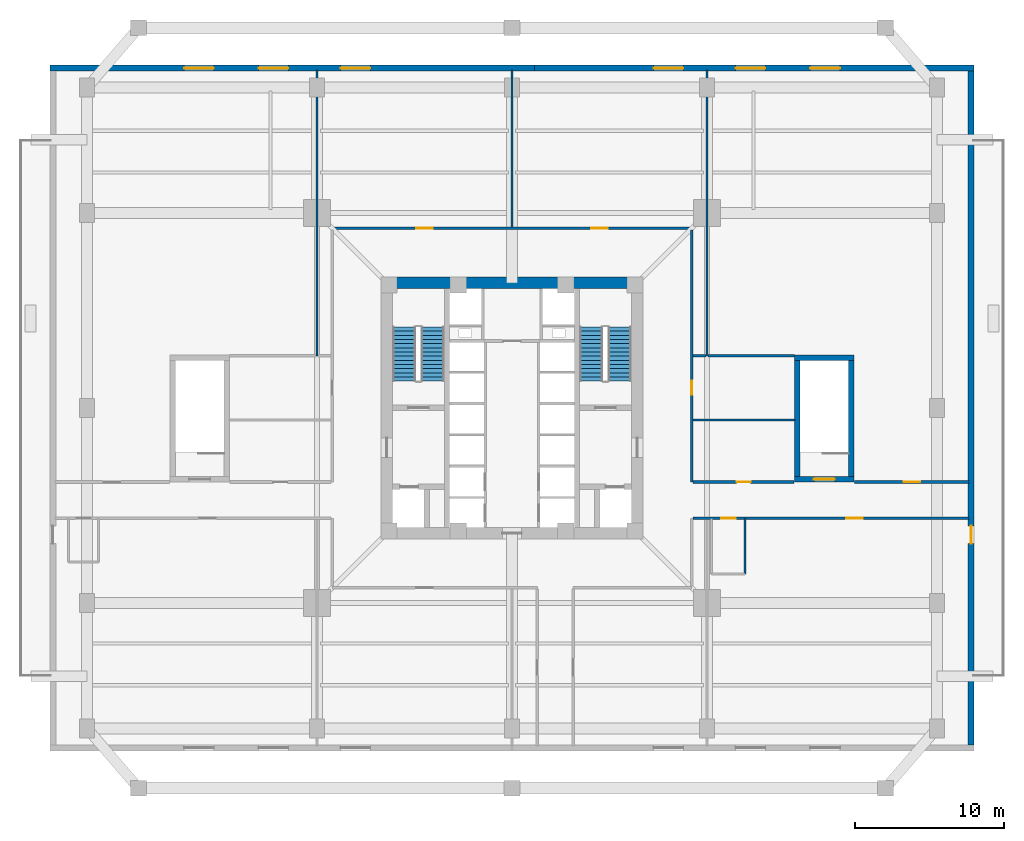
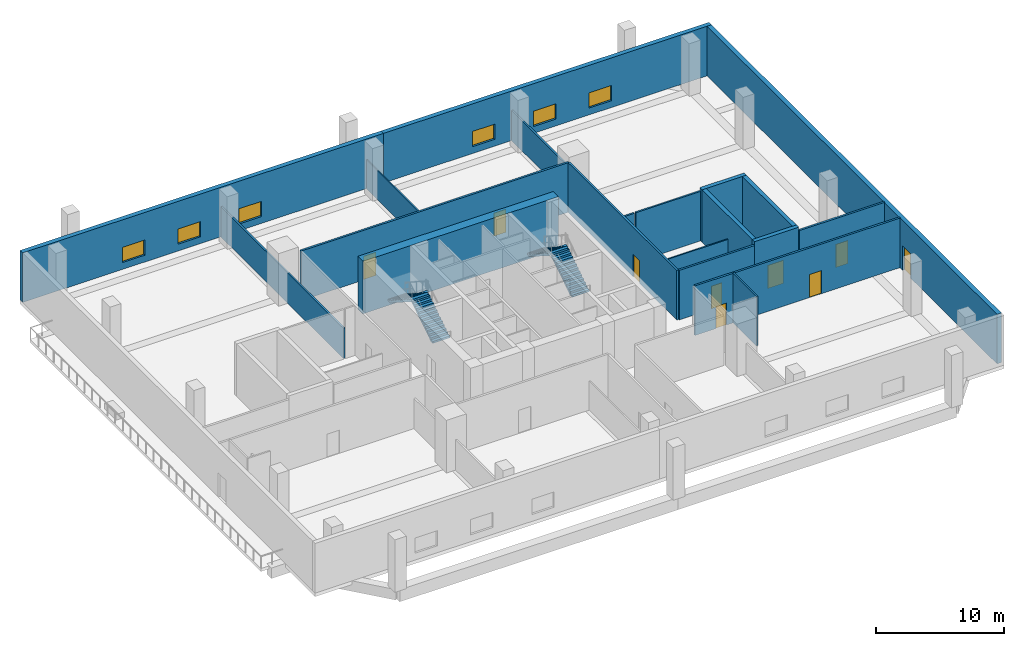
# One storey, part 4 of 8: 20 walls, 9 doors, 6 windows, 4 stair flights, 15 openings, 2 elements without a shape of their own.
"""IFC4 building model written with IfcOpenShell, lengths in metres."""

from ifc_helpers import new_model, si_unit, direction, frame, frame_2d, origin, place, context, subcontext, project, spatial, polyline, rectangle, outline, extrude, source, transform, mapped, material, layer, layer_set, type_object, element, fill, aggregate, save


model = new_model("IFC4")

# Units and contexts
model_context = context("Model", 3, precision=1e-05, world=origin(), true_north=direction((0.0, 1.0)))
body_context = subcontext(model_context, "Body", "Model", "MODEL_VIEW")
ifc_project = project(units=[si_unit("LENGTHUNIT", "METRE"), si_unit("AREAUNIT", "SQUARE_METRE"), si_unit("VOLUMEUNIT", "CUBIC_METRE"), si_unit("PLANEANGLEUNIT", "RADIAN"), si_unit("MASSUNIT", "GRAM", prefix="KILO"), si_unit("THERMODYNAMICTEMPERATUREUNIT", "KELVIN")], contexts=[model_context])

# Site, building, storey
site_placement = place(None, origin())
site = spatial("IfcSite", under=ifc_project, at=site_placement, CompositionType="ELEMENT")
building_placement = place(site_placement, origin())
building = spatial("IfcBuilding", under=site, at=building_placement, Name="Kosmvard Interchange Tower", CompositionType="ELEMENT")
storey_placement = place(building_placement, frame((0.0, 0.0, 21.0)))
storey = spatial("IfcBuildingStorey", under=building, at=storey_placement, Name="L04", CompositionType="ELEMENT", Elevation=21.0)

# Walls
ifc_material_1 = material(Name="Acoustic gypsum partition system")
ifc_layer_1 = layer(ifc_material_1, 0.14990234375, Name="Acoustic gypsum partition system")
ifc_layer_set_1 = layer_set([ifc_layer_1], Name="Acoustic gypsum partition system")
wall_type_1 = type_object("IfcWallType", Name="Acoustic Suite & Meeting Partition 150", PredefinedType="PARTITIONING", material=ifc_layer_set_1)
for number, where, z_axis, x_axis, name in (
    (1, (-13.0810546875, 3.5, 0.0), (0.0, 0.0, 1.0), (0.0, 1.0, 0.0), "L04 Room Partition 01.1"),
    (2, (13.0810546875, 3.5, 0.0), (0.0, 0.0, 1.0), (0.0, 1.0, 0.0), "L04 Room Partition 03.1"),
):
    element("IfcWall", number, at=place(storey_placement, frame(where, z_axis=z_axis, x_axis=x_axis)), inside=storey, type_object=wall_type_1, Name=name, PredefinedType="PARTITIONING", context=body_context, shape_type="SweptSolid", body=[
        extrude(rectangle(XDim=19.1650390625, YDim=0.14990234375, at=frame_2d((9.58251953125, 0.0))), origin(), (0.0, 0.0, 1.0), 2.8798828125),
    ])
wall_1_placement = place(storey_placement, frame((12.14501953125, 3.5, 0.0), z_axis=(0.0, 0.0, 1.0), x_axis=(1.0, 0.0, 0.0)))
element("IfcWall", 3, at=wall_1_placement, inside=storey, type_object=wall_type_1, Name="L04 Room Partition 05.1", PredefinedType="PARTITIONING", context=body_context, shape_type="SweptSolid", body=[
    extrude(rectangle(XDim=0.861083984375, YDim=0.14990234375, at=frame_2d((0.4306640625, 0.0))), origin(), (0.0, 0.0, 1.0), 4.719970703125),
])
wall_2_placement = place(storey_placement, frame((13.156005859375, 3.5, 0.0), z_axis=(0.0, 0.0, 1.0), x_axis=(1.0, 0.0, 0.0)))
element("IfcWall", 4, at=wall_2_placement, inside=storey, type_object=wall_type_1, Name="L04 Room Partition 05.2", PredefinedType="PARTITIONING", context=body_context, shape_type="SweptSolid", body=[
    extrude(rectangle(XDim=5.803955078125, YDim=0.14990234375, at=frame_2d((2.90185546875, 0.0))), origin(), (0.0, 0.0, 1.0), 4.719970703125),
])

# Wall, openings, doors
ifc_material_2 = material(Name="Fire-rated gypsum partition system")
ifc_layer_2 = layer(ifc_material_2, 0.179931640625, Name="Fire-rated gypsum partition system")
ifc_layer_set_2 = layer_set([ifc_layer_2], Name="Fire-rated gypsum partition system")
wall_type_2 = type_object("IfcWallType", Name="Corridor & Hotel Compartment Partition 180", PredefinedType="PARTITIONING", material=ifc_layer_set_2)
wall_3_placement = place(storey_placement, frame((-12.050048828125, 12.050048828125, 0.0), z_axis=(0.0, 0.0, 1.0), x_axis=(1.0, 0.0, 0.0)))
wall_3 = element("IfcWall", 5, at=wall_3_placement, inside=storey, type_object=wall_type_2, Name="L04 Corridor Wall CN", PredefinedType="PARTITIONING", context=body_context, shape_type="SweptSolid", body=[
    extrude(rectangle(XDim=24.10009765625, YDim=0.179931640625, at=frame_2d((12.050048828125, 0.0))), origin(), (0.0, 0.0, 1.0), 4.719970703125),
])
opening_1_placement = place(wall_3_placement, frame((5.639404296875, 0.0, 0.0)))
opening_1 = element("IfcOpeningElement", 6, at=opening_1_placement, cuts=wall_3, Name="Opening L04-D04", PredefinedType="OPENING", context=body_context, shape_type="SweptSolid", body=[
    extrude(rectangle(XDim=1.10009765625, YDim=2.199951171875, at=frame_2d((0.550048828125, 1.10009765625))), frame((0.0, 0.10009765625, 0.0), z_axis=(0.0, -1.0, 0.0), x_axis=(1.0, 0.0, 0.0)), (0.0, 0.0, 1.0), 0.199951171875),
])
opening_2_placement = place(wall_3_placement, frame((17.360595703125, 0.0, 0.0)))
opening_2 = element("IfcOpeningElement", 7, at=opening_2_placement, cuts=wall_3, Name="Opening L04-D05", PredefinedType="OPENING", context=body_context, shape_type="SweptSolid", body=[
    extrude(rectangle(XDim=1.10009765625, YDim=2.199951171875, at=frame_2d((0.550048828125, 1.10009765625))), frame((0.0, 0.10009765625, 0.0), z_axis=(0.0, -1.0, 0.0), x_axis=(1.0, 0.0, 0.0)), (0.0, 0.0, 1.0), 0.199951171875),
])
ifc_material_3 = material(Name="Engineered oak fire-rated timber", Category="wood")
door_type_1 = type_object("IfcDoorType", Name="Office Suite Entrance Door 1100x2200 FD30S", OperationType="NOTDEFINED", PredefinedType="DOOR", material=ifc_material_3)
shared_shape_1 = source(origin(), body_context, "Body", "SweptSolid", [
    extrude(rectangle(XDim=1.10009765625, YDim=2.199951171875, at=frame_2d((0.550048828125, 1.10009765625))), frame((0.0, 0.02490234375, 0.0), z_axis=(0.0, -1.0, 0.0), x_axis=(1.0, 0.0, 0.0)), (0.0, 0.0, 1.0), 0.050048828125),
])
door_1_placement = place(opening_1_placement, origin())
door_1 = element("IfcDoor", 8, at=door_1_placement, inside=storey, type_object=door_type_1, Name="L04 L04 Conference Room 1 Door", OperationType="SINGLE_SWING_RIGHT", OverallHeight=2.199951171875, OverallWidth=1.10009765625, PredefinedType="DOOR", context=body_context, shape_type="MappedRepresentation", body=[
    mapped(shared_shape_1, transform((0.0, 0.0, 0.0), scale=1.0)),
])
fill(opening_1, door_1)
door_2_placement = place(opening_2_placement, origin())
door_2 = element("IfcDoor", 9, at=door_2_placement, inside=storey, type_object=door_type_1, Name="L04 L04 Conference Room 2 Door", OperationType="SINGLE_SWING_LEFT", OverallHeight=2.199951171875, OverallWidth=1.10009765625, PredefinedType="DOOR", context=body_context, shape_type="MappedRepresentation", body=[
    mapped(shared_shape_1, transform((0.0, 0.0, 0.0), scale=1.0)),
])
fill(opening_2, door_2)

# Wall, opening, door
wall_4_placement = place(storey_placement, frame((12.050048828125, -4.9599609375, 0.0), z_axis=(0.0, 0.0, 1.0), x_axis=(0.0, 1.0, 0.0)))
wall_4 = element("IfcWall", 10, at=wall_4_placement, inside=storey, type_object=wall_type_2, Name="L04 Corridor Wall CEN", PredefinedType="PARTITIONING", context=body_context, shape_type="SweptSolid", body=[
    extrude(rectangle(XDim=16.909912109375, YDim=0.179931640625, at=frame_2d((8.455078125, 0.0))), origin(), (0.0, 0.0, 1.0), 4.719970703125),
])
opening_3_placement = place(wall_4_placement, frame((5.8349609375, 0.0, 0.0)))
opening_3 = element("IfcOpeningElement", 11, at=opening_3_placement, cuts=wall_4, Name="Opening L04-D10", PredefinedType="OPENING", context=body_context, shape_type="SweptSolid", body=[
    extrude(rectangle(XDim=0.949951171875, YDim=2.14990234375, at=frame_2d((0.47509765625, 1.074951171875))), frame((0.0, 0.10009765625, 0.0), z_axis=(0.0, -1.0, 0.0), x_axis=(1.0, 0.0, 0.0)), (0.0, 0.0, 1.0), 0.199951171875),
])
ifc_material_4 = material(Name="Engineered oak acoustic timber", Category="wood")
door_type_2 = type_object("IfcDoorType", Name="Meeting & Cellular Office Door 950x2150", OperationType="NOTDEFINED", PredefinedType="DOOR", material=ifc_material_4)
shared_shape_2 = source(origin(), body_context, "Body", "SweptSolid", [
    extrude(rectangle(XDim=0.949951171875, YDim=2.14990234375, at=frame_2d((0.47509765625, 1.074951171875))), frame((0.0, 0.02490234375, 0.0), z_axis=(0.0, -1.0, 0.0), x_axis=(1.0, 0.0, 0.0)), (0.0, 0.0, 1.0), 0.050048828125),
])
door_3_placement = place(opening_3_placement, frame((0.949951171875, 0.0, 0.0), z_axis=(0.0, 0.0, 1.0), x_axis=(-1.0, 0.0, 0.0)))
door_3 = element("IfcDoor", 12, at=door_3_placement, inside=storey, type_object=door_type_2, Name="L04 L04 Advisory Office 2 Door", OperationType="SINGLE_SWING_RIGHT", OverallHeight=2.14990234375, OverallWidth=0.949951171875, PredefinedType="DOOR", context=body_context, shape_type="MappedRepresentation", body=[
    mapped(shared_shape_2, transform((0.0, 0.0, 0.0), scale=1.0)),
])
fill(opening_3, door_3)

# Wall, openings, doors
wall_5_placement = place(storey_placement, frame((12.14990234375, -7.39990234375, 0.0), z_axis=(0.0, 0.0, 1.0), x_axis=(1.0, 0.0, 0.0)))
wall_5 = element("IfcWall", 13, at=wall_5_placement, inside=storey, type_object=wall_type_2, Name="L04 Corridor Wall SES", PredefinedType="PARTITIONING", context=body_context, shape_type="SweptSolid", body=[
    extrude(rectangle(XDim=18.51513671875, YDim=0.179931640625, at=frame_2d((9.257568359375, 0.0))), origin(), (0.0, 0.0, 1.0), 4.719970703125),
])
opening_4_placement = place(wall_5_placement, frame((1.89208984375, 0.0, 0.0)))
opening_4 = element("IfcOpeningElement", 14, at=opening_4_placement, cuts=wall_5, Name="Opening L04-D02", PredefinedType="OPENING", context=body_context, shape_type="SweptSolid", body=[
    extrude(rectangle(XDim=0.949951171875, YDim=2.10009765625, at=frame_2d((0.47509765625, 1.050048828125))), frame((0.0, 0.10009765625, 0.0), z_axis=(0.0, -1.0, 0.0), x_axis=(1.0, 0.0, 0.0)), (0.0, 0.0, 1.0), 0.199951171875),
])
opening_5_placement = place(wall_5_placement, frame((10.282958984375, 0.0, 0.0)))
opening_5 = element("IfcOpeningElement", 15, at=opening_5_placement, cuts=wall_5, Name="Opening L04-D15", PredefinedType="OPENING", context=body_context, shape_type="SweptSolid", body=[
    extrude(rectangle(XDim=1.10009765625, YDim=2.199951171875, at=frame_2d((0.550048828125, 1.10009765625))), frame((0.0, 0.10009765625, 0.0), z_axis=(0.0, -1.0, 0.0), x_axis=(1.0, 0.0, 0.0)), (0.0, 0.0, 1.0), 0.199951171875),
])
ifc_material_5 = material(Name="Laminated moisture-resistant timber", Category="wood")
door_type_3 = type_object("IfcDoorType", Name="Accessible Washroom Door 950x2100", OperationType="NOTDEFINED", PredefinedType="DOOR", material=ifc_material_5)
shared_shape_3 = source(origin(), body_context, "Body", "SweptSolid", [
    extrude(rectangle(XDim=0.949951171875, YDim=2.10009765625, at=frame_2d((0.47509765625, 1.050048828125))), frame((0.0, 0.02490234375, 0.0), z_axis=(0.0, -1.0, 0.0), x_axis=(1.0, 0.0, 0.0)), (0.0, 0.0, 1.0), 0.050048828125),
])
door_4_placement = place(opening_4_placement, frame((0.949951171875, 0.0, 0.0), z_axis=(0.0, 0.0, 1.0), x_axis=(-1.0, 0.0, 0.0)))
door_4 = element("IfcDoor", 16, at=door_4_placement, inside=storey, type_object=door_type_3, Name="L04 Public Floor Washroom Door", OperationType="SINGLE_SWING_RIGHT", OverallHeight=2.10009765625, OverallWidth=0.949951171875, PredefinedType="DOOR", context=body_context, shape_type="MappedRepresentation", body=[
    mapped(shared_shape_3, transform((0.0, 0.0, 0.0), scale=1.0)),
])
fill(opening_4, door_4)
door_5_placement = place(opening_5_placement, frame((1.10009765625, 0.0, 0.0), z_axis=(0.0, 0.0, 1.0), x_axis=(-1.0, 0.0, 0.0)))
door_5 = element("IfcDoor", 17, at=door_5_placement, inside=storey, type_object=door_type_1, Name="L04 L04 East Terrace Club Lounge Door", OperationType="SINGLE_SWING_LEFT", OverallHeight=2.199951171875, OverallWidth=1.10009765625, PredefinedType="DOOR", context=body_context, shape_type="MappedRepresentation", body=[
    mapped(shared_shape_1, transform((0.0, 0.0, 0.0), scale=1.0)),
])
fill(opening_5, door_5)

# Wall, opening, door
wall_6_placement = place(storey_placement, frame((12.14990234375, -4.9599609375, 0.0), z_axis=(0.0, 0.0, 1.0), x_axis=(1.0, 0.0, 0.0)))
wall_6 = element("IfcWall", 18, at=wall_6_placement, inside=storey, type_object=wall_type_2, Name="L04 Corridor Wall SEN1", PredefinedType="PARTITIONING", context=body_context, shape_type="SweptSolid", body=[
    extrude(rectangle(XDim=6.77001953125, YDim=0.179931640625, at=frame_2d((3.385009765625, 0.0))), origin(), (0.0, 0.0, 1.0), 4.719970703125),
])
opening_6_placement = place(wall_6_placement, frame((2.909912109375, 0.0, 0.0)))
opening_6 = element("IfcOpeningElement", 19, at=opening_6_placement, cuts=wall_6, Name="Opening L04-D09", PredefinedType="OPENING", context=body_context, shape_type="SweptSolid", body=[
    extrude(rectangle(XDim=0.949951171875, YDim=2.14990234375, at=frame_2d((0.47509765625, 1.074951171875))), frame((0.0, 0.10009765625, 0.0), z_axis=(0.0, -1.0, 0.0), x_axis=(1.0, 0.0, 0.0)), (0.0, 0.0, 1.0), 0.199951171875),
])
door_6_placement = place(opening_6_placement, origin())
door_6 = element("IfcDoor", 20, at=door_6_placement, inside=storey, type_object=door_type_2, Name="L04 L04 Station Operations Office 1 Door", OperationType="SINGLE_SWING_LEFT", OverallHeight=2.14990234375, OverallWidth=0.949951171875, PredefinedType="DOOR", context=body_context, shape_type="MappedRepresentation", body=[
    mapped(shared_shape_2, transform((0.0, 0.0, 0.0), scale=1.0)),
])
fill(opening_6, door_6)

wall_7_placement = place(storey_placement, frame((22.97998046875, -4.9599609375, 0.0), z_axis=(0.0, 0.0, 1.0), x_axis=(1.0, 0.0, 0.0)))
wall_7 = element("IfcWall", 21, at=wall_7_placement, inside=storey, type_object=wall_type_2, Name="L04 Corridor Wall SEN2", PredefinedType="PARTITIONING", context=body_context, shape_type="SweptSolid", body=[
    extrude(rectangle(XDim=7.68505859375, YDim=0.179931640625, at=frame_2d((3.842529296875, 0.0))), origin(), (0.0, 0.0, 1.0), 4.719970703125),
])
opening_7_placement = place(wall_7_placement, frame((3.29248046875, 0.0, 0.0)))
opening_7 = element("IfcOpeningElement", 22, at=opening_7_placement, cuts=wall_7, Name="Opening L04-D06", PredefinedType="OPENING", context=body_context, shape_type="SweptSolid", body=[
    extrude(rectangle(XDim=1.10009765625, YDim=2.199951171875, at=frame_2d((0.550048828125, 1.10009765625))), frame((0.0, 0.10009765625, 0.0), z_axis=(0.0, -1.0, 0.0), x_axis=(1.0, 0.0, 0.0)), (0.0, 0.0, 1.0), 0.199951171875),
])
door_7_placement = place(opening_7_placement, origin())
door_7 = element("IfcDoor", 23, at=door_7_placement, inside=storey, type_object=door_type_1, Name="L04 L04 East Wellness Studio Door", OperationType="SINGLE_SWING_RIGHT", OverallHeight=2.199951171875, OverallWidth=1.10009765625, PredefinedType="DOOR", context=body_context, shape_type="MappedRepresentation", body=[
    mapped(shared_shape_1, transform((0.0, 0.0, 0.0), scale=1.0)),
])
fill(opening_7, door_7)

# Walls
ifc_material_6 = material(Name="Concrete C80/95", Category="concrete")
ifc_layer_3 = layer(ifc_material_6, 0.800048828125, Name="Concrete C80/95")
ifc_layer_set_3 = layer_set([ifc_layer_3], Name="Concrete C80/95")
wall_type_3 = type_object("IfcWallType", Name="Lower Core Shear Wall 800 C80/95", PredefinedType="SHEAR", material=ifc_layer_set_3)
wall_8_placement = place(storey_placement, frame((-8.800048828125, 8.39990234375, 0.0), z_axis=(0.0, 0.0, 1.0), x_axis=(1.0, 0.0, 0.0)))
element("IfcWall", 24, at=wall_8_placement, inside=storey, type_object=wall_type_3, Name="L04 Core Shear Wall CW-N", PredefinedType="SHEAR", context=body_context, shape_type="SweptSolid", body=[
    extrude(rectangle(XDim=17.60009765625, YDim=0.800048828125, at=frame_2d((8.800048828125, 0.0))), origin(), (0.0, 0.0, 1.0), 5.0),
])
ifc_material_7 = material(Name="Gypsum board partition system")
ifc_layer_4 = layer(ifc_material_7, 0.1201171875, Name="Gypsum board partition system")
ifc_layer_set_4 = layer_set([ifc_layer_4], Name="Gypsum board partition system")
wall_type_4 = type_object("IfcWallType", Name="Office Cellular Partition 120", PredefinedType="PARTITIONING", material=ifc_layer_set_4)
wall_9_placement = place(storey_placement, frame((0.0, 12.14501953125, 0.0), z_axis=(0.0, 0.0, 1.0), x_axis=(0.0, 1.0, 0.0)))
element("IfcWall", 25, at=wall_9_placement, inside=storey, type_object=wall_type_4, Name="L04 Room Partition 02.1", PredefinedType="PARTITIONING", context=body_context, shape_type="SweptSolid", body=[
    extrude(rectangle(XDim=10.52001953125, YDim=0.1201171875, at=frame_2d((5.260009765625, 0.0))), origin(), (0.0, 0.0, 1.0), 2.75),
])
wall_10_placement = place(storey_placement, frame((12.14501953125, -0.800048828125, 0.0), z_axis=(0.0, 0.0, 1.0), x_axis=(1.0, 0.0, 0.0)))
element("IfcWall", 26, at=wall_10_placement, inside=storey, type_object=wall_type_4, Name="L04 Room Partition 07.1", PredefinedType="PARTITIONING", context=body_context, shape_type="SweptSolid", body=[
    extrude(rectangle(XDim=6.81494140625, YDim=0.1201171875, at=frame_2d((3.407470703125, 0.0))), origin(), (0.0, 0.0, 1.0), 2.75),
])

# Wall, openings, windows
ifc_material_8 = material(Name="Precast concrete C45/55", Category="concrete")
ifc_layer_5 = layer(ifc_material_8, 0.39990234375, Name="Precast concrete C45/55")
ifc_layer_set_5 = layer_set([ifc_layer_5], Name="Precast concrete C45/55")
wall_type_5 = type_object("IfcWallType", Name="Podium Precast Stone Pier Wall 400 C45/55", PredefinedType="STANDARD", material=ifc_layer_set_5)
wall_11_placement = place(storey_placement, frame((-31.0, 22.800048828125, 0.0), z_axis=(0.0, 0.0, 1.0), x_axis=(1.0, 0.0, 0.0)))
wall_11 = element("IfcWall", 27, at=wall_11_placement, inside=storey, type_object=wall_type_5, Name="L04 Podium Precast Wall EW-N1", PredefinedType="STANDARD", context=body_context, shape_type="SweptSolid", body=[
    extrude(rectangle(XDim=32.5, YDim=0.39990234375, at=frame_2d((16.25, 0.0))), origin(), (0.0, 0.0, 1.0), 4.719970703125),
])
opening_8_placement = place(wall_11_placement, frame((9.0, 0.0, 0.64990234375)))
opening_8 = element("IfcOpeningElement", 28, at=opening_8_placement, cuts=wall_11, Name="Opening L04-W7", PredefinedType="OPENING", context=body_context, shape_type="SweptSolid", body=[
    extrude(rectangle(XDim=2.0, YDim=1.449951171875, at=frame_2d((1.0, 0.72509765625))), frame((0.0, 0.2099609375, 0.0), z_axis=(0.0, -1.0, 0.0), x_axis=(1.0, 0.0, 0.0)), (0.0, 0.0, 1.0), 0.419921875),
])
opening_9_placement = place(wall_11_placement, frame((14.0, 0.0, 0.64990234375)))
opening_9 = element("IfcOpeningElement", 29, at=opening_9_placement, cuts=wall_11, Name="Opening L04-W8", PredefinedType="OPENING", context=body_context, shape_type="SweptSolid", body=[
    extrude(rectangle(XDim=2.0, YDim=1.449951171875, at=frame_2d((1.0, 0.72509765625))), frame((0.0, 0.2099609375, 0.0), z_axis=(0.0, -1.0, 0.0), x_axis=(1.0, 0.0, 0.0)), (0.0, 0.0, 1.0), 0.419921875),
])
opening_10_placement = place(wall_11_placement, frame((19.5, 0.0, 0.64990234375)))
opening_10 = element("IfcOpeningElement", 30, at=opening_10_placement, cuts=wall_11, Name="Opening L04-W9", PredefinedType="OPENING", context=body_context, shape_type="SweptSolid", body=[
    extrude(rectangle(XDim=2.0, YDim=1.449951171875, at=frame_2d((1.0, 0.72509765625))), frame((0.0, 0.2099609375, 0.0), z_axis=(0.0, -1.0, 0.0), x_axis=(1.0, 0.0, 0.0)), (0.0, 0.0, 1.0), 0.419921875),
])
ifc_material_9 = material(Name="Low-E solar-control double glazing", Category="glass")
window_type = type_object("IfcWindowType", Name="Transfer Zone Punched Window 2000x1450", PartitioningType="SINGLE_PANEL", PredefinedType="WINDOW", material=ifc_material_9)
shared_shape_4 = source(origin(), body_context, "Body", "SweptSolid", [
    extrude(rectangle(XDim=2.0, YDim=1.449951171875, at=frame_2d((1.0, 0.72509765625))), frame((0.0, 0.030029296875, 0.0), z_axis=(0.0, -1.0, 0.0), x_axis=(1.0, 0.0, 0.0)), (0.0, 0.0, 1.0), 0.06005859375),
])
window_1_placement = place(opening_8_placement, origin())
window_1 = element("IfcWindow", 31, at=window_1_placement, inside=storey, type_object=window_type, Name="L04 Podium Window 7", OverallHeight=1.449951171875, OverallWidth=2.0, PartitioningType="SINGLE_PANEL", PredefinedType="WINDOW", context=body_context, shape_type="MappedRepresentation", body=[
    mapped(shared_shape_4, transform((0.0, 0.0, 0.0), scale=1.0)),
])
fill(opening_8, window_1)
window_2_placement = place(opening_9_placement, origin())
window_2 = element("IfcWindow", 32, at=window_2_placement, inside=storey, type_object=window_type, Name="L04 Podium Window 8", OverallHeight=1.449951171875, OverallWidth=2.0, PartitioningType="SINGLE_PANEL", PredefinedType="WINDOW", context=body_context, shape_type="MappedRepresentation", body=[
    mapped(shared_shape_4, transform((0.0, 0.0, 0.0), scale=1.0)),
])
fill(opening_9, window_2)
window_3_placement = place(opening_10_placement, origin())
window_3 = element("IfcWindow", 33, at=window_3_placement, inside=storey, type_object=window_type, Name="L04 Podium Window 9", OverallHeight=1.449951171875, OverallWidth=2.0, PartitioningType="SINGLE_PANEL", PredefinedType="WINDOW", context=body_context, shape_type="MappedRepresentation", body=[
    mapped(shared_shape_4, transform((0.0, 0.0, 0.0), scale=1.0)),
])
fill(opening_10, window_3)

wall_12_placement = place(storey_placement, frame((1.5, 22.800048828125, 0.0), z_axis=(0.0, 0.0, 1.0), x_axis=(1.0, 0.0, 0.0)))
wall_12 = element("IfcWall", 34, at=wall_12_placement, inside=storey, type_object=wall_type_5, Name="L04 Podium Precast Wall EW-N2", PredefinedType="STANDARD", context=body_context, shape_type="SweptSolid", body=[
    extrude(rectangle(XDim=29.5, YDim=0.39990234375, at=frame_2d((14.75, 0.0))), origin(), (0.0, 0.0, 1.0), 4.719970703125),
])
opening_11_placement = place(wall_12_placement, frame((8.0, 0.0, 0.64990234375)))
opening_11 = element("IfcOpeningElement", 35, at=opening_11_placement, cuts=wall_12, Name="Opening L04-W10", PredefinedType="OPENING", context=body_context, shape_type="SweptSolid", body=[
    extrude(rectangle(XDim=2.0, YDim=1.449951171875, at=frame_2d((1.0, 0.72509765625))), frame((0.0, 0.2099609375, 0.0), z_axis=(0.0, -1.0, 0.0), x_axis=(1.0, 0.0, 0.0)), (0.0, 0.0, 1.0), 0.419921875),
])
opening_12_placement = place(wall_12_placement, frame((13.5, 0.0, 0.64990234375)))
opening_12 = element("IfcOpeningElement", 36, at=opening_12_placement, cuts=wall_12, Name="Opening L04-W11", PredefinedType="OPENING", context=body_context, shape_type="SweptSolid", body=[
    extrude(rectangle(XDim=2.0, YDim=1.449951171875, at=frame_2d((1.0, 0.72509765625))), frame((0.0, 0.2099609375, 0.0), z_axis=(0.0, -1.0, 0.0), x_axis=(1.0, 0.0, 0.0)), (0.0, 0.0, 1.0), 0.419921875),
])
opening_13_placement = place(wall_12_placement, frame((18.5, 0.0, 0.64990234375)))
opening_13 = element("IfcOpeningElement", 37, at=opening_13_placement, cuts=wall_12, Name="Opening L04-W12", PredefinedType="OPENING", context=body_context, shape_type="SweptSolid", body=[
    extrude(rectangle(XDim=2.0, YDim=1.449951171875, at=frame_2d((1.0, 0.72509765625))), frame((0.0, 0.2099609375, 0.0), z_axis=(0.0, -1.0, 0.0), x_axis=(1.0, 0.0, 0.0)), (0.0, 0.0, 1.0), 0.419921875),
])
window_4_placement = place(opening_11_placement, origin())
window_4 = element("IfcWindow", 38, at=window_4_placement, inside=storey, type_object=window_type, Name="L04 Podium Window 10", OverallHeight=1.449951171875, OverallWidth=2.0, PartitioningType="SINGLE_PANEL", PredefinedType="WINDOW", context=body_context, shape_type="MappedRepresentation", body=[
    mapped(shared_shape_4, transform((0.0, 0.0, 0.0), scale=1.0)),
])
fill(opening_11, window_4)
window_5_placement = place(opening_12_placement, origin())
window_5 = element("IfcWindow", 39, at=window_5_placement, inside=storey, type_object=window_type, Name="L04 Podium Window 11", OverallHeight=1.449951171875, OverallWidth=2.0, PartitioningType="SINGLE_PANEL", PredefinedType="WINDOW", context=body_context, shape_type="MappedRepresentation", body=[
    mapped(shared_shape_4, transform((0.0, 0.0, 0.0), scale=1.0)),
])
fill(opening_12, window_5)
window_6_placement = place(opening_13_placement, origin())
window_6 = element("IfcWindow", 40, at=window_6_placement, inside=storey, type_object=window_type, Name="L04 Podium Window 12", OverallHeight=1.449951171875, OverallWidth=2.0, PartitioningType="SINGLE_PANEL", PredefinedType="WINDOW", context=body_context, shape_type="MappedRepresentation", body=[
    mapped(shared_shape_4, transform((0.0, 0.0, 0.0), scale=1.0)),
])
fill(opening_13, window_6)

# Wall, opening, door
wall_13_placement = place(storey_placement, frame((30.800048828125, -22.60009765625, 0.0), z_axis=(0.0, 0.0, 1.0), x_axis=(0.0, 1.0, 0.0)))
wall_13 = element("IfcWall", 41, at=wall_13_placement, inside=storey, type_object=wall_type_5, Name="L04 Podium Precast Wall EW-E", PredefinedType="STANDARD", context=body_context, shape_type="SweptSolid", body=[
    extrude(rectangle(XDim=45.2001953125, YDim=0.39990234375, at=frame_2d((22.60009765625, 0.0))), origin(), (0.0, 0.0, 1.0), 4.719970703125),
])
opening_14_placement = place(wall_13_placement, frame((13.5, 0.0, 0.0)))
opening_14 = element("IfcOpeningElement", 42, at=opening_14_placement, cuts=wall_13, Name="Opening L04-TDE", PredefinedType="OPENING", context=body_context, shape_type="SweptSolid", body=[
    extrude(rectangle(XDim=1.199951171875, YDim=2.300048828125, at=frame_2d((0.60009765625, 1.14990234375))), frame((0.0, 0.2099609375, 0.0), z_axis=(0.0, -1.0, 0.0), x_axis=(1.0, 0.0, 0.0)), (0.0, 0.0, 1.0), 0.419921875),
])
ifc_material_10 = material(Name="Anodised aluminium and safety glass", Category="aluminium")
door_type_4 = type_object("IfcDoorType", Name="Cascade Terrace Glazed Door 1200x2300", OperationType="NOTDEFINED", PredefinedType="DOOR", material=ifc_material_10)
shared_shape_5 = source(origin(), body_context, "Body", "SweptSolid", [
    extrude(rectangle(XDim=1.199951171875, YDim=2.300048828125, at=frame_2d((0.60009765625, 1.14990234375))), frame((0.0, 0.02490234375, 0.0), z_axis=(0.0, -1.0, 0.0), x_axis=(1.0, 0.0, 0.0)), (0.0, 0.0, 1.0), 0.050048828125),
])
door_8_placement = place(opening_14_placement, origin())
door_8 = element("IfcDoor", 43, at=door_8_placement, inside=storey, type_object=door_type_4, Name="L04 East Cascading Terrace Door", OperationType="SINGLE_SWING_RIGHT", OverallHeight=2.300048828125, OverallWidth=1.199951171875, PredefinedType="DOOR", context=body_context, shape_type="MappedRepresentation", body=[
    mapped(shared_shape_5, transform((0.0, 0.0, 0.0), scale=1.0)),
])
fill(opening_14, door_8)

ifc_material_11 = material(Name="Concrete C60/75", Category="concrete")
ifc_layer_6 = layer(ifc_material_11, 0.360107421875, Name="Concrete C60/75")
ifc_layer_set_6 = layer_set([ifc_layer_6], Name="Concrete C60/75")
wall_type_6 = type_object("IfcWallType", Name="Stair & Lift Shaft Shear Wall 360 C60/75", PredefinedType="SHEAR", material=ifc_layer_set_6)
wall_14_placement = place(storey_placement, frame((18.9599609375, -4.780029296875, 0.0), z_axis=(0.0, 0.0, 1.0), x_axis=(1.0, 0.0, 0.0)))
wall_14 = element("IfcWall", 44, at=wall_14_placement, inside=storey, type_object=wall_type_6, Name="L04 Podium Stair Shear Wall ST4S", PredefinedType="SHEAR", context=body_context, shape_type="SweptSolid", body=[
    extrude(rectangle(XDim=3.97998046875, YDim=0.360107421875, at=frame_2d((1.989990234375, 0.0))), origin(), (0.0, 0.0, 1.0), 5.0),
])
opening_15_placement = place(wall_14_placement, frame((1.2900390625, 0.0, 0.0)))
opening_15 = element("IfcOpeningElement", 45, at=opening_15_placement, cuts=wall_14, Name="Opening L04-SD4", PredefinedType="OPENING", context=body_context, shape_type="SweptSolid", body=[
    extrude(rectangle(XDim=1.39990234375, YDim=2.199951171875, at=frame_2d((0.699951171875, 1.10009765625))), frame((0.0, 0.18994140625, 0.0), z_axis=(0.0, -1.0, 0.0), x_axis=(1.0, 0.0, 0.0)), (0.0, 0.0, 1.0), 0.380126953125),
])
ifc_material_12 = material(Name="Painted fire-rated steel leaf", Category="steel")
door_type_5 = type_object("IfcDoorType", Name="Protected Stair Door 1400x2200 FD60S", OperationType="NOTDEFINED", PredefinedType="DOOR", material=ifc_material_12)
shared_shape_6 = source(origin(), body_context, "Body", "SweptSolid", [
    extrude(rectangle(XDim=1.39990234375, YDim=2.199951171875, at=frame_2d((0.699951171875, 1.10009765625))), frame((0.0, 0.02490234375, 0.0), z_axis=(0.0, -1.0, 0.0), x_axis=(1.0, 0.0, 0.0)), (0.0, 0.0, 1.0), 0.050048828125),
])
door_9_placement = place(opening_15_placement, origin())
door_9 = element("IfcDoor", 46, at=door_9_placement, inside=storey, type_object=door_type_5, Name="L04 Podium Stair ST4 Door", OperationType="SINGLE_SWING_RIGHT", OverallHeight=2.199951171875, OverallWidth=1.39990234375, PredefinedType="DOOR", context=body_context, shape_type="MappedRepresentation", body=[
    mapped(shared_shape_6, transform((0.0, 0.0, 0.0), scale=1.0)),
])
fill(opening_15, door_9)

# Walls
wall_15_placement = place(storey_placement, frame((18.9599609375, 3.3798828125, 0.0), z_axis=(0.0, 0.0, 1.0), x_axis=(1.0, 0.0, 0.0)))
element("IfcWall", 47, at=wall_15_placement, inside=storey, type_object=wall_type_6, Name="L04 Podium Stair Shear Wall ST4N", PredefinedType="SHEAR", context=body_context, shape_type="SweptSolid", body=[
    extrude(rectangle(XDim=3.97998046875, YDim=0.360107421875, at=frame_2d((1.989990234375, 0.0))), origin(), (0.0, 0.0, 1.0), 5.0),
])
for number, where, z_axis, x_axis, name in (
    (48, (19.139892578125, -4.60009765625, 0.0), (0.0, 0.0, 1.0), (0.0, 1.0, 0.0), "L04 Podium Stair Shear Wall ST4W"),
    (49, (22.760009765625, -4.60009765625, 0.0), (0.0, 0.0, 1.0), (0.0, 1.0, 0.0), "L04 Podium Stair Shear Wall ST4E"),
):
    element("IfcWall", number, at=place(storey_placement, frame(where, z_axis=z_axis, x_axis=x_axis)), inside=storey, type_object=wall_type_6, Name=name, PredefinedType="SHEAR", context=body_context, shape_type="SweptSolid", body=[
        extrude(rectangle(XDim=7.800048828125, YDim=0.360107421875, at=frame_2d((3.89990234375, 0.0))), origin(), (0.0, 0.0, 1.0), 5.0),
    ])
ifc_material_13 = material(Name="Moisture-resistant gypsum partition")
ifc_layer_7 = layer(ifc_material_13, 0.135009765625, Name="Moisture-resistant gypsum partition")
ifc_layer_set_7 = layer_set([ifc_layer_7], Name="Moisture-resistant gypsum partition")
wall_type_7 = type_object("IfcWallType", Name="Wet Room Moisture-Resistant Partition 135", PredefinedType="PARTITIONING", material=ifc_layer_set_7)
wall_16_placement = place(storey_placement, frame((15.64208984375, -11.1201171875, 0.0), z_axis=(0.0, 0.0, 1.0), x_axis=(0.0, 1.0, 0.0)))
element("IfcWall", 50, at=wall_16_placement, inside=storey, type_object=wall_type_7, Name="L04 Washroom Partition WC1-E", PredefinedType="PARTITIONING", context=body_context, shape_type="SweptSolid", body=[
    extrude(rectangle(XDim=3.7001953125, YDim=0.135009765625, at=frame_2d((1.85009765625, 0.0))), origin(), (0.0, 0.0, 1.0), 4.719970703125),
])

# Stair, stair flights
ifc_material_14 = material(Name="Concrete C50/60", Category="concrete")
stair_type = type_object("IfcStairType", Name="Dog-Leg Core Exit Stair H5000 C50/60", PredefinedType="HALF_TURN_STAIR", material=ifc_material_14)
stair_1_placement = place(storey_placement, origin())
stair_1 = element("IfcStair", 51, at=stair_1_placement, inside=storey, type_object=stair_type, Name="L04 Protected Exit Stair ST-1", PredefinedType="HALF_TURN_STAIR")
stair_flight_type = type_object("IfcStairFlightType", Name="Core Stair Flight W1550 H5000 C50/60", PredefinedType="STRAIGHT", material=ifc_material_14)
shared_shape_7 = source(origin(), body_context, "Body", "SweptSolid", [
    extrude(outline(polyline([(0.0, 0.0), (0.0, 0.178466796875), (0.280029296875, 0.178466796875), (0.280029296875, 0.357177734375), (0.56005859375, 0.357177734375), (0.56005859375, 0.53564453125), (0.840087890625, 0.53564453125), (0.840087890625, 0.71435546875), (1.1201171875, 0.71435546875), (1.1201171875, 0.892822265625), (1.39990234375, 0.892822265625), (1.39990234375, 1.071533203125), (1.679931640625, 1.071533203125), (1.679931640625, 1.25), (1.9599609375, 1.25), (1.9599609375, 1.428466796875), (2.239990234375, 1.428466796875), (2.239990234375, 1.607177734375), (2.52001953125, 1.607177734375), (2.52001953125, 1.78564453125), (2.800048828125, 1.78564453125), (2.800048828125, 1.96435546875), (3.080078125, 1.96435546875), (3.080078125, 2.142822265625), (3.360107421875, 2.142822265625), (3.360107421875, 2.321533203125), (3.639892578125, 2.321533203125), (3.639892578125, 2.5), (3.639892578125, 2.1318359375), (0.29736328125, 0.0), (0.0, 0.0)])), frame((0.0, 0.77490234375, 0.0), z_axis=(0.0, -1.0, 0.0), x_axis=(1.0, 0.0, 0.0)), (0.0, 0.0, 1.0), 1.550048828125),
])
stair_flight_1_placement = place(storey_placement, frame((-5.31494140625, 1.800048828125, 0.0), z_axis=(0.0, 0.0, 1.0), x_axis=(0.0, 1.0, 0.0)))
stair_flight_1 = element("IfcStairFlight", 52, at=stair_flight_1_placement, type_object=stair_flight_type, Name="ST-1 flight 1", NumberOfRisers=14, NumberOfTreads=13, PredefinedType="STRAIGHT", RiserHeight=0.178571429, TreadLength=0.28, context=body_context, shape_type="MappedRepresentation", body=[
    mapped(shared_shape_7, transform((0.0, 0.0, 0.0), scale=1.0)),
])
stair_flight_2_placement = place(storey_placement, frame((-7.22509765625, 5.43994140625, 2.5), z_axis=(0.0, 0.0, 1.0), x_axis=(0.0, -1.0, 0.0)))
stair_flight_2 = element("IfcStairFlight", 53, at=stair_flight_2_placement, type_object=stair_flight_type, Name="ST-1 flight 2", NumberOfRisers=14, NumberOfTreads=13, PredefinedType="STRAIGHT", RiserHeight=0.178571429, TreadLength=0.28, context=body_context, shape_type="MappedRepresentation", body=[
    mapped(shared_shape_7, transform((0.0, 0.0, 0.0), scale=1.0)),
])
aggregate(stair_1, [stair_flight_1, stair_flight_2])

stair_2_placement = place(storey_placement, origin())
stair_2 = element("IfcStair", 54, at=stair_2_placement, inside=storey, type_object=stair_type, Name="L04 Protected Exit Stair ST-2", PredefinedType="HALF_TURN_STAIR")
stair_flight_3_placement = place(storey_placement, frame((7.22509765625, 1.800048828125, 0.0), z_axis=(0.0, 0.0, 1.0), x_axis=(0.0, 1.0, 0.0)))
stair_flight_3 = element("IfcStairFlight", 55, at=stair_flight_3_placement, type_object=stair_flight_type, Name="ST-2 flight 1", NumberOfRisers=14, NumberOfTreads=13, PredefinedType="STRAIGHT", RiserHeight=0.178571429, TreadLength=0.28, context=body_context, shape_type="MappedRepresentation", body=[
    mapped(shared_shape_7, transform((0.0, 0.0, 0.0), scale=1.0)),
])
stair_flight_4_placement = place(storey_placement, frame((5.31494140625, 5.43994140625, 2.5), z_axis=(0.0, 0.0, 1.0), x_axis=(0.0, -1.0, 0.0)))
stair_flight_4 = element("IfcStairFlight", 56, at=stair_flight_4_placement, type_object=stair_flight_type, Name="ST-2 flight 2", NumberOfRisers=14, NumberOfTreads=13, PredefinedType="STRAIGHT", RiserHeight=0.178571429, TreadLength=0.28, context=body_context, shape_type="MappedRepresentation", body=[
    mapped(shared_shape_7, transform((0.0, 0.0, 0.0), scale=1.0)),
])
aggregate(stair_2, [stair_flight_3, stair_flight_4])

save(model, "model.ifc")
